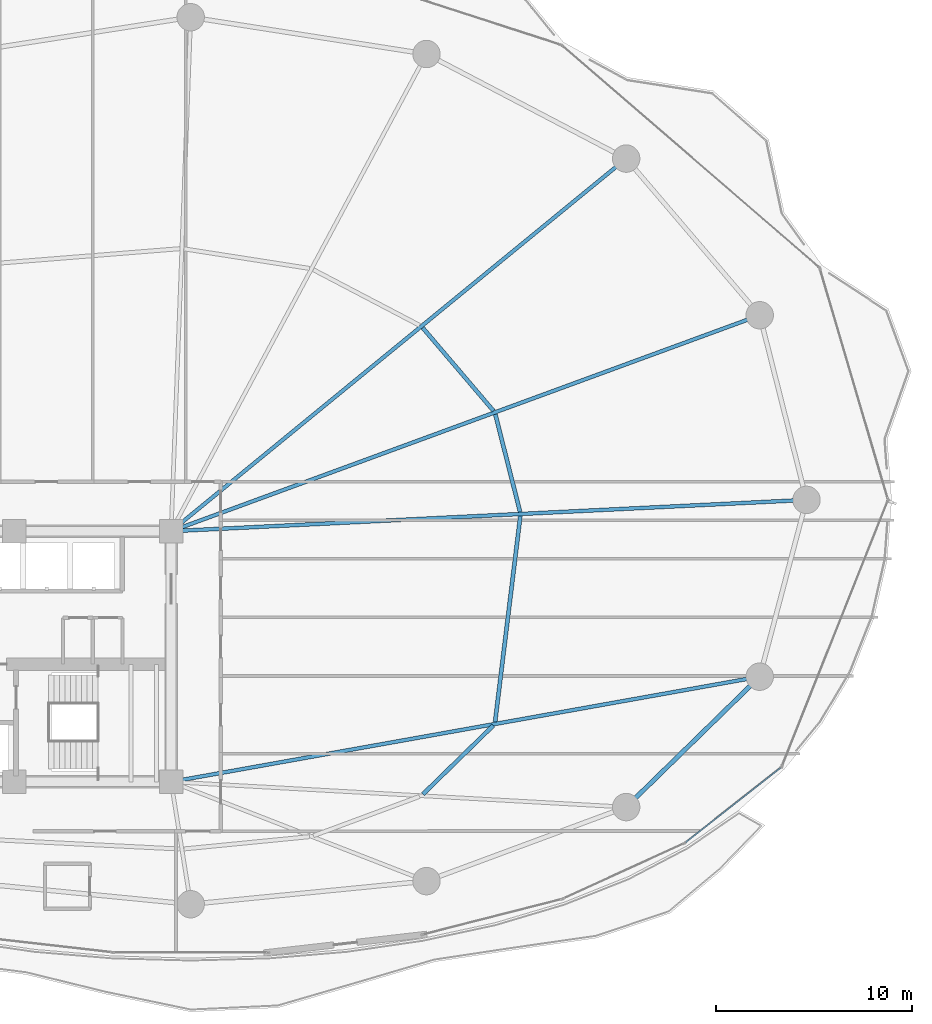
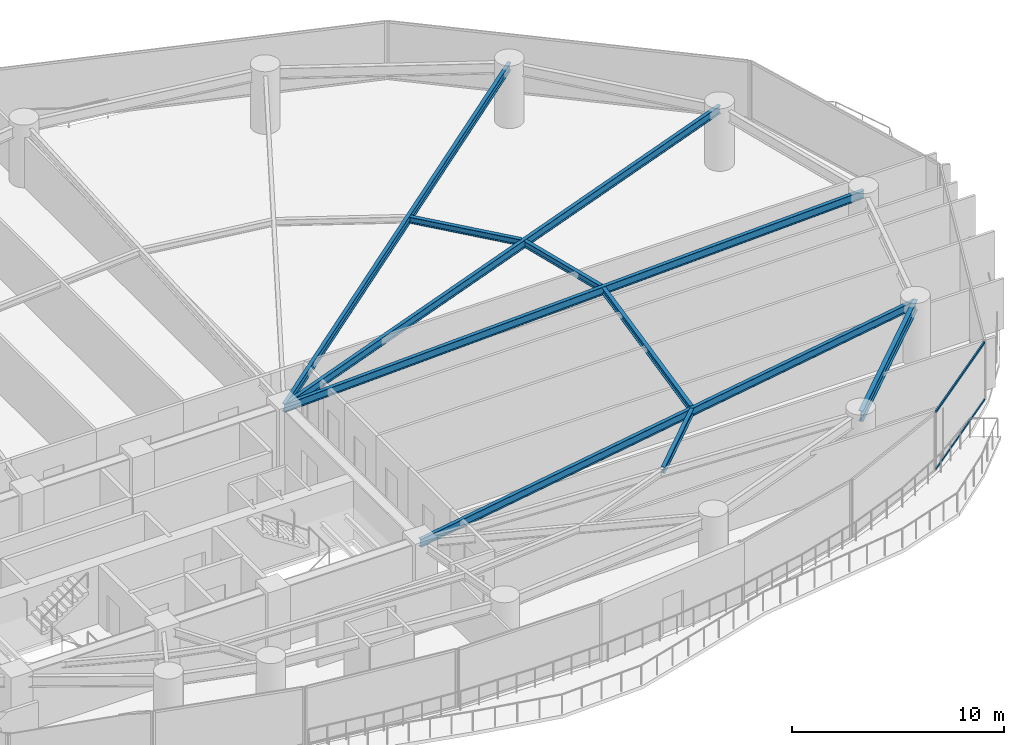
# One storey, part 14 of 33: 9 beams, 2 members, 1 element without a shape of its own.
"""IFC4 building model written with IfcOpenShell, lengths in metres."""

import ifcopenshell
import ifcopenshell.guid

model = None  # the IFC model being written
_history = None  # IfcOwnerHistory: only IFC2X3 demands one
_inside = {}  # id of a spatial element -> (the spatial element, [elements in it])
_under = {}  # id of a project, library or spatial element -> (it, [spatial elements below it])
_declared = {}  # id of a project -> (the project, [libraries it declares])
_typed = {}  # id of a type object -> (the type object, [elements of that type])
_made_of = {}  # id of a material, layer set ... -> (it, [elements and type objects made of it])


def new_model(schema):
    """Start an empty IFC model of exactly this schema.

    Asked for "IFC4X3", IfcOpenShell would pick the latest addendum, in which some entities
    have other attributes; the version numbers below select the first issue.
    IFC2X3 requires an IfcOwnerHistory on every rooted entity: one is made here for all.
    """
    global model, _history
    if schema == "IFC4X3":
        model = ifcopenshell.file(schema_version=(4, 3, 0, 0))
    else:
        model = ifcopenshell.file(schema=schema)
    _inside.clear()
    _under.clear()
    _declared.clear()
    _typed.clear()
    _made_of.clear()
    _history = None
    if model.schema == "IFC2X3":
        org = make("IfcOrganization", Name="unknown")
        user = make(
            "IfcPersonAndOrganization",
            ThePerson=make("IfcPerson", FamilyName="unknown"),
            TheOrganization=org,
        )
        app = make(
            "IfcApplication",
            ApplicationDeveloper=org,
            Version="unknown",
            ApplicationFullName="unknown",
            ApplicationIdentifier="unknown",
        )
        _history = make(
            "IfcOwnerHistory",
            OwningUser=user,
            OwningApplication=app,
            ChangeAction="ADDED",
            CreationDate=0,
        )
    return model


def make(cls, **values):
    """One entity of the class cls with the attributes given. An attribute that is None is left unset."""
    return model.create_entity(
        cls, **{name: value for name, value in values.items() if value is not None}
    )


def rooted(cls, **values):
    """An entity with a GlobalId (a new one), such as an element, a storey or a relation."""
    return make(cls, GlobalId=ifcopenshell.guid.new(), OwnerHistory=_history, **values)


def si_unit(unit_type, name, prefix=None):
    """IfcSIUnit, for example si_unit("LENGTHUNIT", "METRE", prefix="MILLI")."""
    return make("IfcSIUnit", UnitType=unit_type, Prefix=prefix, Name=name)


def assignment(units):
    """IfcUnitAssignment: the units of a project."""
    return None if units is None else make("IfcUnitAssignment", Units=units)


def point(xyz):
    """IfcCartesianPoint."""
    return None if xyz is None else make("IfcCartesianPoint", Coordinates=xyz)


def direction(xyz):
    """IfcDirection."""
    return None if xyz is None else make("IfcDirection", DirectionRatios=xyz)


def frame(location, z_axis=None, x_axis=None):
    """IfcAxis2Placement3D, a coordinate frame: its origin and axes. An axis left out is left unset."""
    return make(
        "IfcAxis2Placement3D",
        Location=point(location),
        Axis=direction(z_axis),
        RefDirection=direction(x_axis),
    )


def frame_2d(location, x_axis=None):
    """IfcAxis2Placement2D, a coordinate frame in the plane: its origin and x axis."""
    return make(
        "IfcAxis2Placement2D", Location=point(location), RefDirection=direction(x_axis)
    )


def origin():
    """The frame at (0, 0, 0) with its axes left unset."""
    return frame((0.0, 0.0, 0.0))


def origin_2d():
    """The frame at (0, 0) in the plane with its x axis left unset."""
    return frame_2d((0.0, 0.0))


def place(relative_to, where):
    """IfcLocalPlacement: puts the frame where relative to a parent placement (None: the world)."""
    return make(
        "IfcLocalPlacement", PlacementRelTo=relative_to, RelativePlacement=where
    )


def context(
    kind, dimensions, precision=None, world=None, true_north=None, identifier=None
):
    """IfcGeometricRepresentationContext, for example the 3D "Model" context."""
    return make(
        "IfcGeometricRepresentationContext",
        ContextIdentifier=identifier,
        ContextType=kind,
        CoordinateSpaceDimension=dimensions,
        Precision=precision,
        WorldCoordinateSystem=world,
        TrueNorth=true_north,
    )


def subcontext(parent, identifier, kind, view, scale=None):
    """IfcGeometricRepresentationSubContext, for example "Body" below "Model"."""
    return make(
        "IfcGeometricRepresentationSubContext",
        ContextIdentifier=identifier,
        ContextType=kind,
        ParentContext=parent,
        TargetScale=scale,
        TargetView=view,
    )


def project(units=None, contexts=None):
    """IfcProject with its units and contexts."""
    return rooted(
        "IfcProject",
        Name="project",
        RepresentationContexts=contexts,
        UnitsInContext=assignment(units),
    )


def spatial(cls, under=None, at=None, **own):
    """A site, building, storey or space (cls), placed at a placement, below another one or the project."""
    s = rooted(cls, ObjectPlacement=at, **own)
    if under is not None:
        _under.setdefault(under.id(), (under, []))[1].append(s)
    return s


def profile(cls, at=None, kind="AREA", **sizes):
    """A parametric profile (cls). Its sizes go by their IFC names, for example OverallWidth=200.0."""
    return make(cls, ProfileType=kind, Position=at, **sizes)


def hollow_rectangle(**sizes):
    """IfcRectangleHollowProfileDef."""
    return profile("IfcRectangleHollowProfileDef", **sizes)


def i_section(**sizes):
    """IfcIShapeProfileDef."""
    return profile("IfcIShapeProfileDef", **sizes)


def extrude(swept, where, along, depth):
    """IfcExtrudedAreaSolid: the profile swept, set in the frame where, extruded along a direction by depth."""
    return make(
        "IfcExtrudedAreaSolid",
        SweptArea=swept,
        Position=where,
        ExtrudedDirection=direction(along),
        Depth=depth,
    )


def shape(context_of_items, identifier, shape_type, items):
    """IfcShapeRepresentation: the items that make up one representation, for example the "Body"."""
    return make(
        "IfcShapeRepresentation",
        ContextOfItems=context_of_items,
        RepresentationIdentifier=identifier,
        RepresentationType=shape_type,
        Items=items,
    )


def material(Name=None, Category=None):
    """IfcMaterial."""
    return make("IfcMaterial", Name=Name, Category=Category)


def layer(
    of_material, thickness, ventilated=None, Name=None, Category=None, Priority=None
):
    """IfcMaterialLayer: one layer of a wall or slab, of a material (None: an air gap)."""
    return make(
        "IfcMaterialLayer",
        Material=of_material,
        LayerThickness=thickness,
        IsVentilated=ventilated,
        Name=Name,
        Category=Category,
        Priority=Priority,
    )


def layer_set(layers, Name=None):
    """IfcMaterialLayerSet."""
    return make("IfcMaterialLayerSet", MaterialLayers=layers, LayerSetName=Name)


def material_profile(
    of_material, cross_section, Name=None, Category=None, Priority=None
):
    """IfcMaterialProfile: a cross section and its material."""
    return make(
        "IfcMaterialProfile",
        Name=Name,
        Material=of_material,
        Profile=cross_section,
        Priority=Priority,
        Category=Category,
    )


def profile_set(profiles, Name=None, composite=None):
    """IfcMaterialProfileSet."""
    return make(
        "IfcMaterialProfileSet",
        Name=Name,
        MaterialProfiles=profiles,
        CompositeProfile=composite,
    )


def made_of(thing, what):
    """Note that an element or type object is made of a material, layer set ...; save() writes the relation."""
    if what is not None:
        _made_of.setdefault(what.id(), (what, []))[1].append(thing)
    return thing


def type_object(cls, material=None, **own):
    """A type object (cls), such as IfcWallType, which elements share."""
    return made_of(rooted(cls, **own), material)


def element(
    cls,
    number,
    at=None,
    inside=None,
    cuts=None,
    type_object=None,
    material=None,
    context=None,
    identifier="Body",
    shape_type=None,
    held_by="IfcProductDefinitionShape",
    body=None,
    shapes=None,
    **own,
):
    """One element of the class cls, such as IfcWall. Its Tag is "e" and its number.

    at: its placement. inside: the storey or other place that contains it. cuts: it is an
    opening in that element (IfcRelVoidsElement). A single representation is given by context,
    identifier, shape_type and body (its items); several are given by shapes. held_by: the class
    of the entity that holds the representations. save() writes the other relations.
    """
    e = rooted(cls, Tag="e%d" % number, ObjectPlacement=at, **own)
    if body is not None:
        shapes = [shape(context, identifier, shape_type, body)]
    if shapes is not None:
        e.Representation = make(held_by, Representations=shapes)
    if inside is not None:
        _inside.setdefault(inside.id(), (inside, []))[1].append(e)
    if cuts is not None:
        rooted(
            "IfcRelVoidsElement", RelatingBuildingElement=cuts, RelatedOpeningElement=e
        )
    if type_object is not None:
        _typed.setdefault(type_object.id(), (type_object, []))[1].append(e)
    return made_of(e, material)


def aggregate(whole, parts):
    """IfcRelAggregates: a whole, such as a stair, and the parts it consists of."""
    return rooted("IfcRelAggregates", RelatingObject=whole, RelatedObjects=parts)


def save(model, path):
    """Write the relations noted so far, then the file.

    IfcRelAggregates (storeys below a building ...), IfcRelContainedInSpatialStructure (elements
    in a storey), IfcRelDefinesByType, IfcRelAssociatesMaterial and IfcRelDeclares: one each for
    every whole, place, type object, material and project.
    """
    for whole, parts in _under.values():
        aggregate(whole, parts)
    for where, things in _inside.values():
        rooted(
            "IfcRelContainedInSpatialStructure",
            RelatedElements=things,
            RelatingStructure=where,
        )
    for kind, things in _typed.values():
        rooted("IfcRelDefinesByType", RelatedObjects=things, RelatingType=kind)
    for what, things in _made_of.values():
        rooted("IfcRelAssociatesMaterial", RelatedObjects=things, RelatingMaterial=what)
    for by, libraries in _declared.values():
        rooted("IfcRelDeclares", RelatingContext=by, RelatedDefinitions=libraries)
    model.write(path)


model = new_model("IFC4")

# Units and contexts
model_context = context("Model", 3, precision=1e-05, world=origin(), true_north=direction((0.0, 1.0)))
body_context = subcontext(model_context, "Body", "Model", "MODEL_VIEW")
ifc_project = project(units=[si_unit("LENGTHUNIT", "METRE"), si_unit("AREAUNIT", "SQUARE_METRE"), si_unit("VOLUMEUNIT", "CUBIC_METRE"), si_unit("PLANEANGLEUNIT", "RADIAN"), si_unit("MASSUNIT", "GRAM", prefix="KILO")], contexts=[model_context])

# Site, building, storey
site_placement = place(None, origin())
site = spatial("IfcSite", under=ifc_project, at=site_placement, CompositionType="ELEMENT")
building_placement = place(site_placement, origin())
building = spatial("IfcBuilding", under=site, at=building_placement, Name="Kazevale Care Tower and Concert Hall", CompositionType="ELEMENT")
storey_placement = place(building_placement, frame((0.0, 0.0, 52.800048828125)))
storey = spatial("IfcBuildingStorey", under=building, at=storey_placement, Name="L13", CompositionType="ELEMENT", Elevation=52.800048828125)

# Curtain wall, members
ifc_material_1 = material(Name="Aluminium 6063-T6 and Low-E Glass", Category="aluminium")
ifc_layer = layer(ifc_material_1, 0.179931640625)
ifc_layer_set = layer_set([ifc_layer], Name="Aluminium 6063-T6 and Low-E Glass")
curtain_wall_type = type_object("IfcCurtainWallType", Name="Sheltered Concave Balcony Curtain Wall CW-5", PredefinedType="NOTDEFINED", material=ifc_layer_set)
curtain_wall_placement = place(storey_placement, origin())
curtain_wall = element("IfcCurtainWall", 1, at=curtain_wall_placement, inside=storey, type_object=curtain_wall_type, Name="cw:L13:f02", PredefinedType="NOTDEFINED")
ifc_material_2 = material(Name="Aluminium 6063-T6", Category="aluminium")
ifc_material_profile_1 = material_profile(ifc_material_2, hollow_rectangle(XDim=0.074951171875, YDim=0.1201171875, WallThickness=0.00390625, at=origin_2d()), Name="ALU75x120x4")
ifc_profile_set_1 = profile_set([ifc_material_profile_1], Name="Aluminium 6063-T6")
member_type = type_object("IfcMemberType", Name="CW-5 Transom ALU75x120x4", PredefinedType="USERDEFINED", material=ifc_profile_set_1)
member_1_placement = place(storey_placement, frame((75.123046875, 24.317626953125, 0.037353515625), z_axis=(-0.78633897536, -0.617795286344, 0.0), x_axis=(0.617795286344, -0.78633897536, 0.0)))
member_1 = element("IfcMember", 2, at=member_1_placement, type_object=member_type, Name="CW-5 transom 1.1", ObjectType="TRANSOM", PredefinedType="USERDEFINED", context=body_context, shape_type="SweptSolid", body=[
    extrude(hollow_rectangle(XDim=0.074951171875, YDim=0.1201171875, WallThickness=0.00390625, at=origin_2d()), origin(), (0.0, 0.0, 1.0), 6.15771484375),
])
member_2_placement = place(storey_placement, frame((75.123046875, 24.317626953125, 3.322509765625), z_axis=(-0.78633897536, -0.617795286344, 0.0), x_axis=(0.617795286344, -0.78633897536, 0.0)))
member_2 = element("IfcMember", 3, at=member_2_placement, type_object=member_type, Name="CW-5 transom 1.2", ObjectType="TRANSOM", PredefinedType="USERDEFINED", context=body_context, shape_type="SweptSolid", body=[
    extrude(hollow_rectangle(XDim=0.074951171875, YDim=0.1201171875, WallThickness=0.00390625, at=origin_2d()), origin(), (0.0, 0.0, 1.0), 6.15771484375),
])
aggregate(curtain_wall, [member_1, member_2])

# Beams
ifc_material_3 = material(Name="Steel ASTM A572 Gr 50", Category="steel")
ifc_material_profile_2 = material_profile(ifc_material_3, i_section(OverallWidth=0.19091796875, OverallDepth=0.4599609375, WebThickness=0.010009765625, FlangeThickness=0.01611328125, at=origin_2d()), Name="W460x82")
ifc_profile_set_2 = profile_set([ifc_material_profile_2], Name="Steel ASTM A572 Gr 50")
beam_type_1 = type_object("IfcBeamType", Name="Radial Floor Beam W460x82", PredefinedType="BEAM", material=ifc_profile_set_2)
beam_1_placement = place(storey_placement, frame((44.0, 36.39990234375, 3.1298828125), z_axis=(0.998786488782, 0.049249871327, 0.0), x_axis=(-0.049249871327, 0.998786488782, 0.0)))
element("IfcBeam", 4, at=beam_1_placement, inside=storey, type_object=beam_type_1, Name="beam:L13:rad:01", PredefinedType="BEAM", context=body_context, shape_type="SweptSolid", body=[
    extrude(i_section(OverallWidth=0.19091796875, OverallDepth=0.4599609375, WebThickness=0.010009765625, FlangeThickness=0.01611328125, at=origin_2d()), origin(), (0.0, 0.0, 1.0), 32.4892578125),
])
beam_2_placement = place(storey_placement, frame((44.0, 36.39990234375, 3.1298828125), z_axis=(0.938795458019, 0.34447509054, 0.0), x_axis=(-0.34447509054, 0.938795458019, 0.0)))
element("IfcBeam", 5, at=beam_2_placement, inside=storey, type_object=beam_type_1, Name="beam:L13:rad:02", PredefinedType="BEAM", context=body_context, shape_type="SweptSolid", body=[
    extrude(i_section(OverallWidth=0.19091796875, OverallDepth=0.4599609375, WebThickness=0.010009765625, FlangeThickness=0.01611328125, at=origin_2d()), origin(), (0.0, 0.0, 1.0), 32.019775390625),
])
beam_3_placement = place(storey_placement, frame((44.0, 36.39990234375, 3.1298828125), z_axis=(0.773704467398, 0.633546681097, 0.0), x_axis=(-0.633546681097, 0.773704467398, 0.0)))
element("IfcBeam", 6, at=beam_3_placement, inside=storey, type_object=beam_type_1, Name="beam:L13:rad:03", PredefinedType="BEAM", context=body_context, shape_type="SweptSolid", body=[
    extrude(i_section(OverallWidth=0.19091796875, OverallDepth=0.4599609375, WebThickness=0.010009765625, FlangeThickness=0.01611328125, at=origin_2d()), origin(), (0.0, 0.0, 1.0), 30.037353515625),
])
beam_4_placement = place(storey_placement, frame((44.0, 23.60009765625, 3.1298828125), z_axis=(0.984416208219, 0.175854283415, 0.0), x_axis=(-0.175854283415, 0.984416208219, 0.0)))
element("IfcBeam", 7, at=beam_4_placement, inside=storey, type_object=beam_type_1, Name="beam:L13:rad:16", PredefinedType="BEAM", context=body_context, shape_type="SweptSolid", body=[
    extrude(i_section(OverallWidth=0.19091796875, OverallDepth=0.4599609375, WebThickness=0.010009765625, FlangeThickness=0.01611328125, at=origin_2d()), origin(), (0.0, 0.0, 1.0), 30.535888671875),
])
ifc_material_profile_3 = material_profile(ifc_material_3, i_section(OverallWidth=0.22900390625, OverallDepth=0.612060546875, WebThickness=0.011962890625, FlangeThickness=0.01953125, at=origin_2d()), Name="W610x125")
ifc_profile_set_3 = profile_set([ifc_material_profile_3], Name="Steel ASTM A572 Gr 50")
beam_type_2 = type_object("IfcBeamType", Name="Ring Spandrel Beam W610x125", PredefinedType="SPANDREL", material=ifc_profile_set_3)
beam_5_placement = place(storey_placement, frame((67.239990234375, 22.31005859375, 3.053955078125), z_axis=(0.715457453508, 0.698656304788, 0.0), x_axis=(-0.698656304788, 0.715457453508, 0.0)))
element("IfcBeam", 8, at=beam_5_placement, inside=storey, type_object=beam_type_2, Name="beam:L13:ring:15", PredefinedType="SPANDREL", context=body_context, shape_type="SweptSolid", body=[
    extrude(i_section(OverallWidth=0.22900390625, OverallDepth=0.612060546875, WebThickness=0.011962890625, FlangeThickness=0.01953125, at=origin_2d()), origin(), (0.0, 0.0, 1.0), 9.532470703125),
])
ifc_material_profile_4 = material_profile(ifc_material_3, i_section(OverallWidth=0.205078125, OverallDepth=0.35400390625, WebThickness=0.009521484375, FlangeThickness=0.016845703125, at=origin_2d()), Name="W360x79")
ifc_profile_set_4 = profile_set([ifc_material_profile_4], Name="Steel ASTM A572 Gr 50")
beam_type_3 = type_object("IfcBeamType", Name="Secondary Floor Joist W360x79", PredefinedType="JOIST", material=ifc_profile_set_4)
beam_6_placement = place(storey_placement, frame((61.822021484375, 37.382080078125, 3.182861328125), z_axis=(-0.24568570229, 0.969349542575, 0.0), x_axis=(-0.969349542575, -0.24568570229, 0.0)))
element("IfcBeam", 9, at=beam_6_placement, inside=storey, type_object=beam_type_3, Name="beam:L13:joist:01", PredefinedType="JOIST", context=body_context, shape_type="SweptSolid", body=[
    extrude(i_section(OverallWidth=0.205078125, OverallDepth=0.35400390625, WebThickness=0.009521484375, FlangeThickness=0.016845703125, at=origin_2d()), origin(), (0.0, 0.0, 1.0), 5.140380859375),
])
beam_7_placement = place(storey_placement, frame((60.465087890625, 42.5458984375, 3.182861328125), z_axis=(-0.648685510477, 0.761056573783, 0.0), x_axis=(-0.761056573783, -0.648685510477, 0.0)))
element("IfcBeam", 10, at=beam_7_placement, inside=storey, type_object=beam_type_3, Name="beam:L13:joist:02", PredefinedType="JOIST", context=body_context, shape_type="SweptSolid", body=[
    extrude(i_section(OverallWidth=0.205078125, OverallDepth=0.35400390625, WebThickness=0.009521484375, FlangeThickness=0.016845703125, at=origin_2d()), origin(), (0.0, 0.0, 1.0), 5.57275390625),
])
beam_8_placement = place(storey_placement, frame((56.85693359375, 22.964111328125, 3.182861328125), z_axis=(0.715521089339, 0.698591132717, 0.0), x_axis=(-0.698591132717, 0.715521089339, 0.0)))
element("IfcBeam", 11, at=beam_8_placement, inside=storey, type_object=beam_type_3, Name="beam:L13:joist:15", PredefinedType="JOIST", context=body_context, shape_type="SweptSolid", body=[
    extrude(i_section(OverallWidth=0.205078125, OverallDepth=0.35400390625, WebThickness=0.009521484375, FlangeThickness=0.016845703125, at=origin_2d()), origin(), (0.0, 0.0, 1.0), 5.03271484375),
])
beam_9_placement = place(storey_placement, frame((60.5458984375, 26.657958984375, 3.182861328125), z_axis=(0.1216468088, 0.992573450133, 0.0), x_axis=(-0.992573450133, 0.1216468088, 0.0)))
element("IfcBeam", 12, at=beam_9_placement, inside=storey, type_object=beam_type_3, Name="beam:L13:joist:16", PredefinedType="JOIST", context=body_context, shape_type="SweptSolid", body=[
    extrude(i_section(OverallWidth=0.205078125, OverallDepth=0.35400390625, WebThickness=0.009521484375, FlangeThickness=0.016845703125, at=origin_2d()), origin(), (0.0, 0.0, 1.0), 10.5966796875),
])

save(model, "model.ifc")
